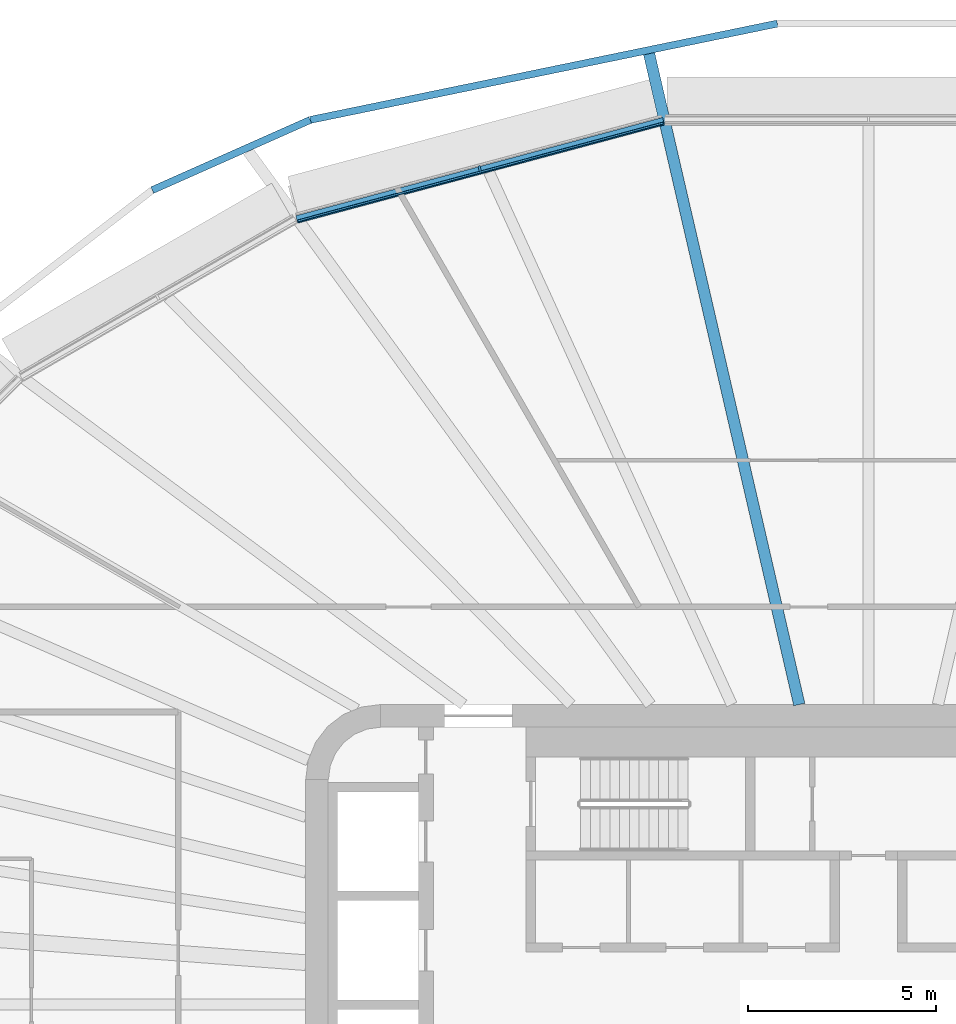
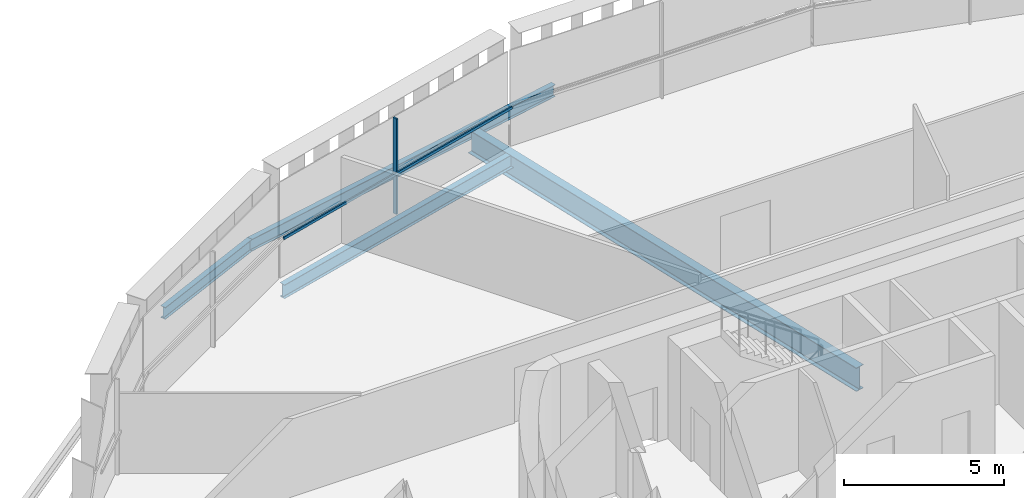
# One storey, part 8 of 25: 4 beams, 2 members, 1 element without a shape of its own.
"""IFC4 building model written with IfcOpenShell, lengths in metres."""

from ifc_helpers import new_model, si_unit, direction, frame, origin, origin_2d, place, context, subcontext, project, spatial, rectangle, i_section, extrude, material, layer, layer_set, material_profile, profile_set, type_object, element, aggregate, save


model = new_model("IFC4")

# Units and contexts
model_context = context("Model", 3, precision=1e-05, world=origin(), true_north=direction((0.0, 1.0)))
body_context = subcontext(model_context, "Body", "Model", "MODEL_VIEW")
ifc_project = project(units=[si_unit("LENGTHUNIT", "METRE"), si_unit("AREAUNIT", "SQUARE_METRE"), si_unit("VOLUMEUNIT", "CUBIC_METRE"), si_unit("PLANEANGLEUNIT", "RADIAN"), si_unit("MASSUNIT", "GRAM", prefix="KILO")], contexts=[model_context])

# Site, building, storey
site_placement = place(None, origin())
site = spatial("IfcSite", under=ifc_project, at=site_placement, CompositionType="ELEMENT")
building_placement = place(site_placement, origin())
building = spatial("IfcBuilding", under=site, at=building_placement, Name="Sahrelin Media Tower", CompositionType="ELEMENT")
storey_placement = place(building_placement, frame((0.0, 0.0, 144.0)))
storey = spatial("IfcBuildingStorey", under=building, at=storey_placement, Name="L29", CompositionType="ELEMENT", Elevation=144.0)

# Beam
ifc_material_1 = material(Name="Steel S355", Category="steel")
ifc_material_profile_1 = material_profile(ifc_material_1, i_section(OverallWidth=0.208740234375, OverallDepth=0.5283203125, WebThickness=0.009521484375, FlangeThickness=0.01318359375, FilletRadius=0.0126953125, at=origin_2d()), Name="UB 533x210x82")
ifc_profile_set_1 = profile_set([ifc_material_profile_1], Name="Steel S355")
beam_type_1 = type_object("IfcBeamType", Name="Edge beam EB6", PredefinedType="BEAM", material=ifc_profile_set_1)
beam_1_placement = place(storey_placement, frame((-15.23779296875, 20.9228515625, -0.414306640625), z_axis=(0.96592349726, 0.258827737002, 0.0), x_axis=(-0.258827737002, 0.96592349726, 0.0)))
element("IfcBeam", 1, at=beam_1_placement, inside=storey, type_object=beam_type_1, Name="Edge beam L29-18", PredefinedType="BEAM", context=body_context, shape_type="SweptSolid", body=[
    extrude(i_section(OverallWidth=0.208740234375, OverallDepth=0.5283203125, WebThickness=0.009521484375, FlangeThickness=0.01318359375, FilletRadius=0.0126953125, at=origin_2d()), origin(), (0.0, 0.0, 1.0), 10.119140625),
])

# Curtain wall, member
ifc_material_2 = material(Name="Champagne anodised aluminium 6063-T6", Category="aluminium")
ifc_layer = layer(ifc_material_2, 0.14990234375)
ifc_layer_set = layer_set([ifc_layer], Name="Tower ribbon curtain wall")
curtain_wall_type = type_object("IfcCurtainWallType", Name="Tower ribbon curtain wall", PredefinedType="NOTDEFINED", material=ifc_layer_set)
curtain_wall_placement = place(storey_placement, frame((-10.389404296875, 22.377197265625, 0.0), z_axis=(0.0, 0.0, 1.0), x_axis=(1.0, 0.0, 0.0)))
curtain_wall = element("IfcCurtainWall", 2, at=curtain_wall_placement, inside=storey, type_object=curtain_wall_type, Name="L29:CW:L29-07", PredefinedType="NOTDEFINED")
ifc_material_profile_2 = material_profile(ifc_material_2, rectangle(XDim=0.06005859375, YDim=0.14990234375, at=origin_2d()), Name="Mullion 60x150")
ifc_profile_set_2 = profile_set([ifc_material_profile_2], Name="Champagne anodised aluminium 6063-T6")
member_type_1 = type_object("IfcMemberType", Name="Mullion 60x150 CW1", PredefinedType="MULLION", material=ifc_profile_set_2)
member_1_placement = place(storey_placement, frame((-10.364990234375, 22.285400390625, 0.0), z_axis=(0.0, 0.0, 1.0), x_axis=(-0.965925826289, -0.258819045103, 0.0)))
member_1 = element("IfcMember", 3, at=member_1_placement, type_object=member_type_1, Name="L29:CWM:L29-07", PredefinedType="MULLION", context=body_context, shape_type="SweptSolid", body=[
    extrude(rectangle(XDim=0.06005859375, YDim=0.14990234375, at=origin_2d()), origin(), (0.0, 0.0, 1.0), 3.648681640625),
])

# Beams
ifc_material_profile_3 = material_profile(ifc_material_1, i_section(OverallWidth=0.30322265625, OverallDepth=0.903076171875, WebThickness=0.01513671875, FlangeThickness=0.020263671875, FilletRadius=0.01904296875, at=origin_2d()), Name="UB 914x305x201")
ifc_profile_set_3 = profile_set([ifc_material_profile_3], Name="Steel S355")
beam_type_2 = type_object("IfcBeamType", Name="Radial primary beam PB11", PredefinedType="BEAM", material=ifc_profile_set_3)
beam_2_placement = place(storey_placement, frame((-1.846435546875, 8.0, -0.6015625), z_axis=(-0.224896572048, 0.97438264141, 0.0), x_axis=(-0.97438264141, -0.224896572048, 0.0)))
element("IfcBeam", 4, at=beam_2_placement, inside=storey, type_object=beam_type_2, Name="Radial beam L29-07", PredefinedType="BEAM", context=body_context, shape_type="SweptSolid", body=[
    extrude(i_section(OverallWidth=0.30322265625, OverallDepth=0.903076171875, WebThickness=0.01513671875, FlangeThickness=0.020263671875, FilletRadius=0.01904296875, at=origin_2d()), origin(), (0.0, 0.0, 1.0), 17.799072265625),
])
ifc_material_profile_4 = material_profile(ifc_material_1, i_section(OverallWidth=0.1904296875, OverallDepth=0.45703125, WebThickness=0.009033203125, FlangeThickness=0.014404296875, FilletRadius=0.01025390625, at=origin_2d()), Name="UB 457x191x74")
ifc_profile_set_4 = profile_set([ifc_material_profile_4], Name="Steel S355")
beam_type_3 = type_object("IfcBeamType", Name="Tie chord TC5", PredefinedType="BEAM", material=ifc_profile_set_4)
beam_3_placement = place(storey_placement, frame((-2.4296875, 26.1455078125, -0.37841796875), z_axis=(-0.979389379459, -0.201981294685, 0.0), x_axis=(0.201981294685, -0.979389379459, 0.0)))
element("IfcBeam", 5, at=beam_3_placement, inside=storey, type_object=beam_type_3, Name="Tie chord L29-07", PredefinedType="BEAM", context=body_context, shape_type="SweptSolid", body=[
    extrude(i_section(OverallWidth=0.1904296875, OverallDepth=0.45703125, WebThickness=0.009033203125, FlangeThickness=0.014404296875, FilletRadius=0.01025390625, at=origin_2d()), origin(), (0.0, 0.0, 1.0), 12.712158203125),
])
beam_4_placement = place(storey_placement, frame((-14.8798828125, 23.577880859375, -0.37841796875), z_axis=(-0.913826849617, -0.406104037062, 0.0), x_axis=(0.406104037062, -0.913826849617, 0.0)))
element("IfcBeam", 6, at=beam_4_placement, inside=storey, type_object=beam_type_3, Name="Tie chord L29-08", PredefinedType="BEAM", context=body_context, shape_type="SweptSolid", body=[
    extrude(i_section(OverallWidth=0.1904296875, OverallDepth=0.45703125, WebThickness=0.009033203125, FlangeThickness=0.014404296875, FilletRadius=0.01025390625, at=origin_2d()), origin(), (0.0, 0.0, 1.0), 4.605712890625),
])

# Member
ifc_material_profile_5 = material_profile(ifc_material_2, rectangle(XDim=0.050048828125, YDim=0.10009765625, at=origin_2d()), Name="Transom 50x100")
ifc_profile_set_5 = profile_set([ifc_material_profile_5], Name="Champagne anodised aluminium 6063-T6")
member_type_2 = type_object("IfcMemberType", Name="Transom 50x100 CW1", PredefinedType="USERDEFINED", material=ifc_profile_set_5)
member_2_placement = place(storey_placement, frame((-5.466796875, 23.494384765625, 1.60009765625), z_axis=(-0.965928174808, -0.258810280151, 0.0), x_axis=(0.258810280151, -0.965928174808, 0.0)))
member_2 = element("IfcMember", 7, at=member_2_placement, type_object=member_type_2, Name="L29:CWT:L29-07", ObjectType="TRANSOM", PredefinedType="USERDEFINED", context=body_context, shape_type="SweptSolid", body=[
    extrude(rectangle(XDim=0.050048828125, YDim=0.10009765625, at=origin_2d()), origin(), (0.0, 0.0, 1.0), 10.087890625),
])

aggregate(curtain_wall, [member_1, member_2])

save(model, "model.ifc")
